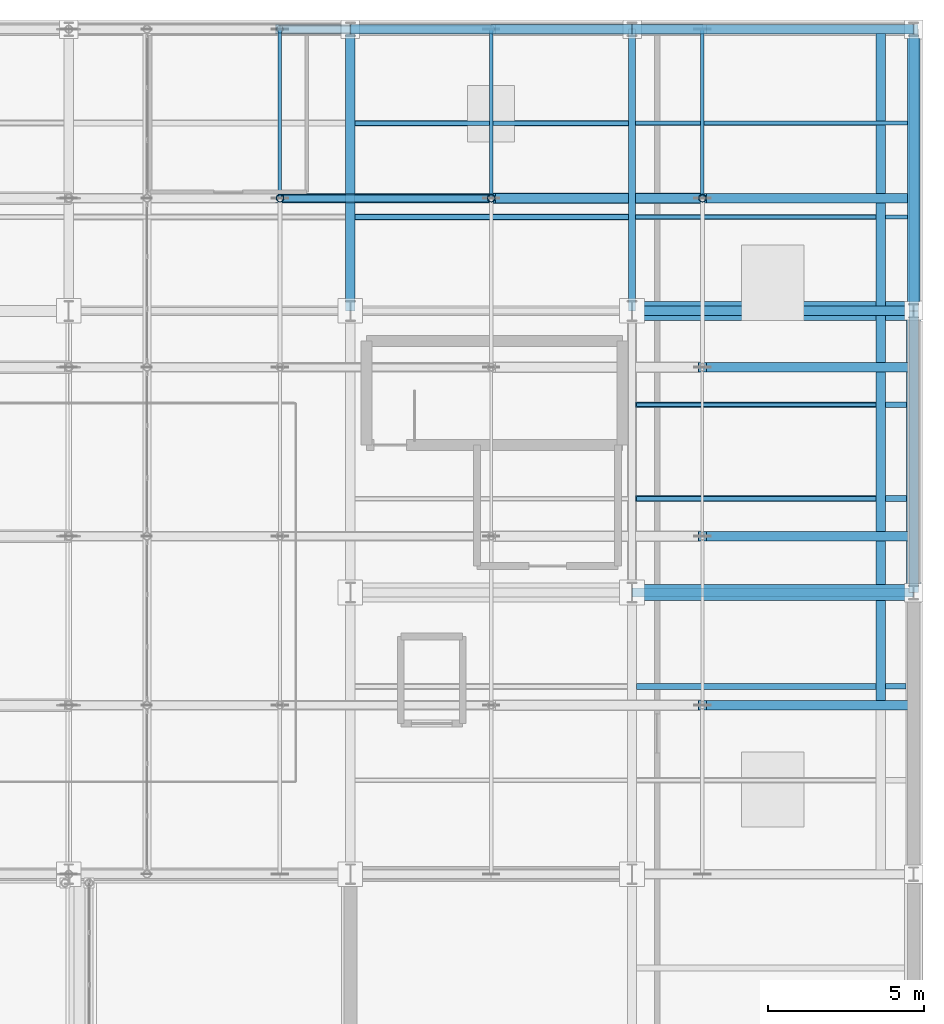
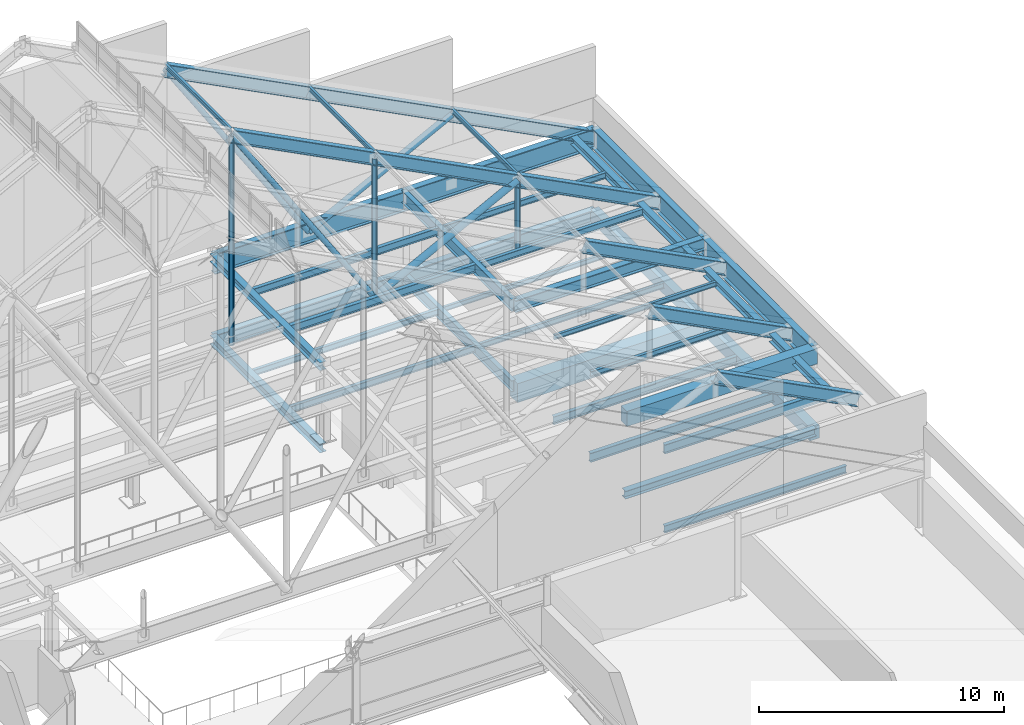
# One storey, part 65 of 84: 36 beams, 19 members.
"""IFC4 building model written with IfcOpenShell, lengths in metres."""

from ifc_helpers import new_model, si_unit, direction, frame, origin, origin_2d, place, context, subcontext, project, spatial, rectangle, hollow_circle, i_section, extrude, material, material_profile, profile_set, type_object, element, save


model = new_model("IFC4")

# Units and contexts
model_context = context("Model", 3, precision=1e-05, world=origin(), true_north=direction((0.0, 1.0)))
body_context = subcontext(model_context, "Body", "Model", "MODEL_VIEW")
ifc_project = project(units=[si_unit("LENGTHUNIT", "METRE"), si_unit("AREAUNIT", "SQUARE_METRE"), si_unit("VOLUMEUNIT", "CUBIC_METRE"), si_unit("PLANEANGLEUNIT", "RADIAN"), si_unit("MASSUNIT", "GRAM", prefix="KILO")], contexts=[model_context])

# Site, building, storey
site_placement = place(None, origin())
site = spatial("IfcSite", under=ifc_project, at=site_placement, CompositionType="ELEMENT")
building_placement = place(site_placement, origin())
building = spatial("IfcBuilding", under=site, at=building_placement, Name="Sundgate Opera House", CompositionType="ELEMENT")
storey_placement = place(building_placement, frame((0.0, 0.0, 30.60009765625)))
storey = spatial("IfcBuildingStorey", under=building, at=storey_placement, Name="L06", CompositionType="ELEMENT", Elevation=30.60009765625)

# Beams
ifc_material_1 = material(Name="Steel S355J2", Category="steel")
ifc_material_profile_1 = material_profile(ifc_material_1, i_section(OverallWidth=0.300048828125, OverallDepth=0.389892578125, WebThickness=0.010986328125, FlangeThickness=0.01904296875, at=origin_2d()), Name="HEA 400")
ifc_profile_set_1 = profile_set([ifc_material_profile_1], Name="Steel S355J2")
beam_type_1 = type_object("IfcBeamType", Name="BM-GR-HEA400", PredefinedType="BEAM", material=ifc_profile_set_1)
for number, where, z_axis, x_axis, name in (
    (1, (72.0, 69.0, -0.455078125), (1.0, 0.0, 0.0), (0.0, 1.0, 0.0), "L06 Primary E-W Girder B3227"),
    (2, (63.0, 78.0, 3.60498046875), (0.0, 1.0, 0.0), (-1.0, 0.0, 0.0), "L06 Primary N-S Girder B3279"),
):
    element("IfcBeam", number, at=place(storey_placement, frame(where, z_axis=z_axis, x_axis=x_axis)), inside=storey, type_object=beam_type_1, Name=name, PredefinedType="BEAM", context=body_context, shape_type="SweptSolid", body=[
        extrude(i_section(OverallWidth=0.300048828125, OverallDepth=0.389892578125, WebThickness=0.010986328125, FlangeThickness=0.01904296875, at=origin_2d()), origin(), (0.0, 0.0, 1.0), 9.0),
    ])
beam_1_placement = place(storey_placement, frame((79.949951171875, 65.550048828125, 3.58984375), z_axis=(0.0, 1.0, 0.0), x_axis=(-1.0, 0.0, 0.0)))
element("IfcBeam", 3, at=beam_1_placement, inside=storey, type_object=beam_type_1, Name="L06 Gridiron Deck Edge Girder B3301", PredefinedType="BEAM", context=body_context, shape_type="SweptSolid", body=[
    extrude(i_section(OverallWidth=0.300048828125, OverallDepth=0.389892578125, WebThickness=0.010986328125, FlangeThickness=0.01904296875, at=origin_2d()), origin(), (0.0, 0.0, 1.0), 3.199951171875),
])
beam_2_placement = place(storey_placement, frame((79.949951171875, 69.25, 3.58984375), z_axis=(0.0, 1.0, 0.0), x_axis=(-1.0, 0.0, 0.0)))
element("IfcBeam", 4, at=beam_2_placement, inside=storey, type_object=beam_type_1, Name="L06 Gridiron Deck Edge Girder B3302", PredefinedType="BEAM", context=body_context, shape_type="SweptSolid", body=[
    extrude(i_section(OverallWidth=0.300048828125, OverallDepth=0.389892578125, WebThickness=0.010986328125, FlangeThickness=0.01904296875, at=origin_2d()), origin(), (0.0, 0.0, 1.0), 1.39990234375),
])
beam_3_placement = place(storey_placement, frame((79.949951171875, 70.949951171875, 3.58984375), z_axis=(0.0, 1.0, 0.0), x_axis=(-1.0, 0.0, 0.0)))
element("IfcBeam", 5, at=beam_3_placement, inside=storey, type_object=beam_type_1, Name="L06 Gridiron Deck Edge Girder B3303", PredefinedType="BEAM", context=body_context, shape_type="SweptSolid", body=[
    extrude(i_section(OverallWidth=0.300048828125, OverallDepth=0.389892578125, WebThickness=0.010986328125, FlangeThickness=0.01904296875, at=origin_2d()), origin(), (0.0, 0.0, 1.0), 5.10009765625),
])
beam_4_placement = place(storey_placement, frame((79.949951171875, 76.35009765625, 3.58984375), z_axis=(0.0, 1.0, 0.0), x_axis=(-1.0, 0.0, 0.0)))
element("IfcBeam", 6, at=beam_4_placement, inside=storey, type_object=beam_type_1, Name="L06 Gridiron Deck Edge Girder B3304", PredefinedType="BEAM", context=body_context, shape_type="SweptSolid", body=[
    extrude(i_section(OverallWidth=0.300048828125, OverallDepth=0.389892578125, WebThickness=0.010986328125, FlangeThickness=0.01904296875, at=origin_2d()), origin(), (0.0, 0.0, 1.0), 1.5),
])
beam_5_placement = place(storey_placement, frame((79.949951171875, 78.14990234375, 3.58984375), z_axis=(0.0, 1.0, 0.0), x_axis=(-1.0, 0.0, 0.0)))
element("IfcBeam", 7, at=beam_5_placement, inside=storey, type_object=beam_type_1, Name="L06 Gridiron Deck Edge Girder B3305", PredefinedType="BEAM", context=body_context, shape_type="SweptSolid", body=[
    extrude(i_section(OverallWidth=0.300048828125, OverallDepth=0.389892578125, WebThickness=0.010986328125, FlangeThickness=0.01904296875, at=origin_2d()), origin(), (0.0, 0.0, 1.0), 3.300048828125),
])
beam_6_placement = place(storey_placement, frame((79.949951171875, 81.75, 3.58984375), z_axis=(0.0, 1.0, 0.0), x_axis=(-1.0, 0.0, 0.0)))
element("IfcBeam", 8, at=beam_6_placement, inside=storey, type_object=beam_type_1, Name="L06 Gridiron Deck Edge Girder B3306", PredefinedType="BEAM", context=body_context, shape_type="SweptSolid", body=[
    extrude(i_section(OverallWidth=0.300048828125, OverallDepth=0.389892578125, WebThickness=0.010986328125, FlangeThickness=0.01904296875, at=origin_2d()), origin(), (0.0, 0.0, 1.0), 5.1201171875),
])
ifc_material_2 = material(Name="Steel S355J2", Category="steel")
ifc_material_profile_2 = material_profile(ifc_material_2, i_section(OverallWidth=0.300048828125, OverallDepth=0.43994140625, WebThickness=0.011474609375, FlangeThickness=0.02099609375, at=origin_2d()), Name="HEA 450")
ifc_profile_set_2 = profile_set([ifc_material_profile_2], Name="Steel S355J2")
beam_type_2 = type_object("IfcBeamType", Name="BM-GR-HEA450", PredefinedType="BEAM", material=ifc_profile_set_2)
beam_7_placement = place(storey_placement, frame((63.0, 78.0, -0.47998046875), z_axis=(0.0, 1.0, 0.0), x_axis=(-1.0, 0.0, 0.0)))
element("IfcBeam", 9, at=beam_7_placement, inside=storey, type_object=beam_type_2, Name="L06 Primary N-S Girder B3204", PredefinedType="BEAM", context=body_context, shape_type="SweptSolid", body=[
    extrude(i_section(OverallWidth=0.300048828125, OverallDepth=0.43994140625, WebThickness=0.011474609375, FlangeThickness=0.02099609375, at=origin_2d()), origin(), (0.0, 0.0, 1.0), 9.0),
])
ifc_material_3 = material(Name="Steel S355J2", Category="steel")
ifc_material_profile_3 = material_profile(ifc_material_3, i_section(OverallWidth=0.300048828125, OverallDepth=0.60009765625, WebThickness=0.015380859375, FlangeThickness=0.030029296875, at=origin_2d()), Name="HEB 600")
ifc_profile_set_3 = profile_set([ifc_material_profile_3], Name="Steel S355J2")
beam_type_3 = type_object("IfcBeamType", Name="BM-GR-HEB600", PredefinedType="BEAM", material=ifc_profile_set_3)
beam_8_placement = place(storey_placement, frame((72.0, 78.0, 3.48486328125), z_axis=(1.0, 0.0, 0.0), x_axis=(0.0, 1.0, 0.0)))
element("IfcBeam", 10, at=beam_8_placement, inside=storey, type_object=beam_type_3, Name="L06 Primary E-W Girder B3292", PredefinedType="BEAM", context=body_context, shape_type="SweptSolid", body=[
    extrude(i_section(OverallWidth=0.300048828125, OverallDepth=0.60009765625, WebThickness=0.015380859375, FlangeThickness=0.030029296875, at=origin_2d()), origin(), (0.0, 0.0, 1.0), 9.0),
])
ifc_material_4 = material(Name="Steel S355J2", Category="steel")
ifc_material_profile_4 = material_profile(ifc_material_4, i_section(OverallWidth=0.300048828125, OverallDepth=0.64990234375, WebThickness=0.01611328125, FlangeThickness=0.031005859375, at=origin_2d()), Name="HEB 650")
ifc_profile_set_4 = profile_set([ifc_material_profile_4], Name="Steel S355J2")
beam_type_4 = type_object("IfcBeamType", Name="BM-GR-HEB650", PredefinedType="BEAM", material=ifc_profile_set_4)
beam_9_placement = place(storey_placement, frame((72.0, 87.0, -0.585205078125), z_axis=(1.0, 0.0, 0.0), x_axis=(0.0, 1.0, 0.0)))
element("IfcBeam", 11, at=beam_9_placement, inside=storey, type_object=beam_type_4, Name="L06 Primary E-W Girder B3239", PredefinedType="BEAM", context=body_context, shape_type="SweptSolid", body=[
    extrude(i_section(OverallWidth=0.300048828125, OverallDepth=0.64990234375, WebThickness=0.01611328125, FlangeThickness=0.031005859375, at=origin_2d()), origin(), (0.0, 0.0, 1.0), 9.0),
])
ifc_material_5 = material(Name="Steel S355J2", Category="steel")
ifc_material_profile_5 = material_profile(ifc_material_5, i_section(OverallWidth=0.300048828125, OverallDepth=0.699951171875, WebThickness=0.01708984375, FlangeThickness=0.031982421875, at=origin_2d()), Name="HEB 700")
ifc_profile_set_5 = profile_set([ifc_material_profile_5], Name="Steel S355J2")
beam_type_5 = type_object("IfcBeamType", Name="BM-GR-HEB700", PredefinedType="BEAM", material=ifc_profile_set_5)
beam_10_placement = place(storey_placement, frame((63.0, 87.0, -0.610107421875), z_axis=(1.0, 0.0, 0.0), x_axis=(0.0, 1.0, 0.0)))
element("IfcBeam", 12, at=beam_10_placement, inside=storey, type_object=beam_type_5, Name="L06 Primary E-W Girder B3238", PredefinedType="BEAM", context=body_context, shape_type="SweptSolid", body=[
    extrude(i_section(OverallWidth=0.300048828125, OverallDepth=0.699951171875, WebThickness=0.01708984375, FlangeThickness=0.031982421875, at=origin_2d()), origin(), (0.0, 0.0, 1.0), 9.0),
])
ifc_material_6 = material(Name="Steel S355J2", Category="steel")
ifc_material_profile_6 = material_profile(ifc_material_6, i_section(OverallWidth=0.2099609375, OverallDepth=0.550048828125, WebThickness=0.010986328125, FlangeThickness=0.01708984375, at=origin_2d()), Name="IPE 550")
ifc_profile_set_6 = profile_set([ifc_material_profile_6], Name="Steel S355J2")
beam_type_6 = type_object("IfcBeamType", Name="BM-GR-IPE550", PredefinedType="BEAM", material=ifc_profile_set_6)
beam_11_placement = place(storey_placement, frame((72.0, 78.0, -0.53515625), z_axis=(0.0, 1.0, 0.0), x_axis=(-1.0, 0.0, 0.0)))
element("IfcBeam", 13, at=beam_11_placement, inside=storey, type_object=beam_type_6, Name="L06 Primary N-S Girder B3209", PredefinedType="BEAM", context=body_context, shape_type="SweptSolid", body=[
    extrude(i_section(OverallWidth=0.2099609375, OverallDepth=0.550048828125, WebThickness=0.010986328125, FlangeThickness=0.01708984375, at=origin_2d()), origin(), (0.0, 0.0, 1.0), 9.0),
])
ifc_material_7 = material(Name="Steel S355J2", Category="steel")
ifc_material_profile_7 = material_profile(ifc_material_7, i_section(OverallWidth=0.219970703125, OverallDepth=0.60009765625, WebThickness=0.011962890625, FlangeThickness=0.01904296875, at=origin_2d()), Name="IPE 600")
ifc_profile_set_7 = profile_set([ifc_material_profile_7], Name="Steel S355J2")
beam_type_7 = type_object("IfcBeamType", Name="BM-GR-IPE600", PredefinedType="BEAM", material=ifc_profile_set_7)
beam_12_placement = place(storey_placement, frame((72.0, 78.0, 3.5), z_axis=(0.0, 1.0, 0.0), x_axis=(-1.0, 0.0, 0.0)))
element("IfcBeam", 14, at=beam_12_placement, inside=storey, type_object=beam_type_7, Name="L06 Primary N-S Girder B3282", PredefinedType="BEAM", context=body_context, shape_type="SweptSolid", body=[
    extrude(i_section(OverallWidth=0.219970703125, OverallDepth=0.60009765625, WebThickness=0.011962890625, FlangeThickness=0.01904296875, at=origin_2d()), origin(), (0.0, 0.0, 1.0), 9.0),
])
ifc_material_8 = material(Name="Steel S355J2", Category="steel")
ifc_material_profile_8 = material_profile(ifc_material_8, i_section(OverallWidth=0.1201171875, OverallDepth=0.239990234375, WebThickness=0.006103515625, FlangeThickness=0.009765625, at=origin_2d()), Name="IPE 240")
ifc_profile_set_8 = profile_set([ifc_material_profile_8], Name="Steel S355J2")
beam_type_8 = type_object("IfcBeamType", Name="BM-JS-IPE240", PredefinedType="JOIST", material=ifc_profile_set_8)
beam_13_placement = place(storey_placement, frame((72.10498046875, 84.0, -0.380126953125), z_axis=(1.0, 0.0, 0.0), x_axis=(0.0, 1.0, 0.0)))
element("IfcBeam", 15, at=beam_13_placement, inside=storey, type_object=beam_type_8, Name="L06 Secondary Floor Joist B3269", PredefinedType="JOIST", context=body_context, shape_type="SweptSolid", body=[
    extrude(i_section(OverallWidth=0.1201171875, OverallDepth=0.239990234375, WebThickness=0.006103515625, FlangeThickness=0.009765625, at=origin_2d()), origin(), (0.0, 0.0, 1.0), 8.695068359375),
])
beam_14_placement = place(storey_placement, frame((72.14990234375, 75.0, 3.664794921875), z_axis=(1.0, 0.0, 0.0), x_axis=(0.0, 1.0, 0.0)))
element("IfcBeam", 16, at=beam_14_placement, inside=storey, type_object=beam_type_8, Name="L06 Secondary Floor Joist B3320", PredefinedType="JOIST", context=body_context, shape_type="SweptSolid", body=[
    extrude(i_section(OverallWidth=0.1201171875, OverallDepth=0.239990234375, WebThickness=0.006103515625, FlangeThickness=0.009765625, at=origin_2d()), origin(), (0.0, 0.0, 1.0), 7.650146484375),
])
ifc_material_9 = material(Name="Steel S355J2", Category="steel")
ifc_material_profile_9 = material_profile(ifc_material_9, i_section(OverallWidth=0.135009765625, OverallDepth=0.27001953125, WebThickness=0.006591796875, FlangeThickness=0.01025390625, at=origin_2d()), Name="IPE 270")
ifc_profile_set_9 = profile_set([ifc_material_profile_9], Name="Steel S355J2")
beam_type_9 = type_object("IfcBeamType", Name="BM-JS-IPE270", PredefinedType="JOIST", material=ifc_profile_set_9)
beam_15_placement = place(storey_placement, frame((72.10498046875, 81.0, -0.39501953125), z_axis=(1.0, 0.0, 0.0), x_axis=(0.0, 1.0, 0.0)))
element("IfcBeam", 17, at=beam_15_placement, inside=storey, type_object=beam_type_9, Name="L06 Secondary Floor Joist B3268", PredefinedType="JOIST", context=body_context, shape_type="SweptSolid", body=[
    extrude(i_section(OverallWidth=0.135009765625, OverallDepth=0.27001953125, WebThickness=0.006591796875, FlangeThickness=0.01025390625, at=origin_2d()), origin(), (0.0, 0.0, 1.0), 8.695068359375),
])
beam_16_placement = place(storey_placement, frame((72.14990234375, 72.0, 3.64990234375), z_axis=(1.0, 0.0, 0.0), x_axis=(0.0, 1.0, 0.0)))
element("IfcBeam", 18, at=beam_16_placement, inside=storey, type_object=beam_type_9, Name="L06 Secondary Floor Joist B3319", PredefinedType="JOIST", context=body_context, shape_type="SweptSolid", body=[
    extrude(i_section(OverallWidth=0.135009765625, OverallDepth=0.27001953125, WebThickness=0.006591796875, FlangeThickness=0.01025390625, at=origin_2d()), origin(), (0.0, 0.0, 1.0), 7.650146484375),
])
ifc_material_10 = material(Name="Steel S355J2", Category="steel")
ifc_material_profile_10 = material_profile(ifc_material_10, i_section(OverallWidth=0.14990234375, OverallDepth=0.300048828125, WebThickness=0.007080078125, FlangeThickness=0.0107421875, at=origin_2d()), Name="IPE 300")
ifc_profile_set_10 = profile_set([ifc_material_profile_10], Name="Steel S355J2")
beam_type_10 = type_object("IfcBeamType", Name="BM-JS-IPE300", PredefinedType="JOIST", material=ifc_profile_set_10)
beam_17_placement = place(storey_placement, frame((63.14990234375, 84.0, -0.41015625), z_axis=(1.0, 0.0, 0.0), x_axis=(0.0, 1.0, 0.0)))
element("IfcBeam", 19, at=beam_17_placement, inside=storey, type_object=beam_type_10, Name="L06 Secondary Floor Joist B3267", PredefinedType="JOIST", context=body_context, shape_type="SweptSolid", body=[
    extrude(i_section(OverallWidth=0.14990234375, OverallDepth=0.300048828125, WebThickness=0.007080078125, FlangeThickness=0.0107421875, at=origin_2d()), origin(), (0.0, 0.0, 1.0), 8.7451171875),
])
beam_18_placement = place(storey_placement, frame((72.110107421875, 84.0, 3.635009765625), z_axis=(1.0, 0.0, 0.0), x_axis=(0.0, 1.0, 0.0)))
element("IfcBeam", 20, at=beam_18_placement, inside=storey, type_object=beam_type_10, Name="L06 Secondary Floor Joist B3332", PredefinedType="JOIST", context=body_context, shape_type="SweptSolid", body=[
    extrude(i_section(OverallWidth=0.14990234375, OverallDepth=0.300048828125, WebThickness=0.007080078125, FlangeThickness=0.0107421875, at=origin_2d()), origin(), (0.0, 0.0, 1.0), 7.68994140625),
])
ifc_material_11 = material(Name="Steel S355J2", Category="steel")
ifc_material_profile_11 = material_profile(ifc_material_11, i_section(OverallWidth=0.159912109375, OverallDepth=0.330078125, WebThickness=0.007568359375, FlangeThickness=0.011474609375, at=origin_2d()), Name="IPE 330")
ifc_profile_set_11 = profile_set([ifc_material_profile_11], Name="Steel S355J2")
beam_type_11 = type_object("IfcBeamType", Name="BM-JS-IPE330", PredefinedType="JOIST", material=ifc_profile_set_11)
beam_19_placement = place(storey_placement, frame((63.14990234375, 81.0, -0.425048828125), z_axis=(1.0, 0.0, 0.0), x_axis=(0.0, 1.0, 0.0)))
element("IfcBeam", 21, at=beam_19_placement, inside=storey, type_object=beam_type_11, Name="L06 Secondary Floor Joist B3266", PredefinedType="JOIST", context=body_context, shape_type="SweptSolid", body=[
    extrude(i_section(OverallWidth=0.159912109375, OverallDepth=0.330078125, WebThickness=0.007568359375, FlangeThickness=0.011474609375, at=origin_2d()), origin(), (0.0, 0.0, 1.0), 8.7451171875),
])
beam_20_placement = place(storey_placement, frame((72.110107421875, 81.0, 3.619873046875), z_axis=(1.0, 0.0, 0.0), x_axis=(0.0, 1.0, 0.0)))
element("IfcBeam", 22, at=beam_20_placement, inside=storey, type_object=beam_type_11, Name="L06 Secondary Floor Joist B3331", PredefinedType="JOIST", context=body_context, shape_type="SweptSolid", body=[
    extrude(i_section(OverallWidth=0.159912109375, OverallDepth=0.330078125, WebThickness=0.007568359375, FlangeThickness=0.011474609375, at=origin_2d()), origin(), (0.0, 0.0, 1.0), 7.68994140625),
])
ifc_material_12 = material(Name="Steel S355J2", Category="steel")
ifc_material_profile_12 = material_profile(ifc_material_12, i_section(OverallWidth=0.169921875, OverallDepth=0.360107421875, WebThickness=0.008056640625, FlangeThickness=0.0126953125, at=origin_2d()), Name="IPE 360")
ifc_profile_set_12 = profile_set([ifc_material_profile_12], Name="Steel S355J2")
beam_type_12 = type_object("IfcBeamType", Name="BM-JS-IPE360", PredefinedType="JOIST", material=ifc_profile_set_12)
beam_21_placement = place(storey_placement, frame((72.14990234375, 66.0, -0.440185546875), z_axis=(1.0, 0.0, 0.0), x_axis=(0.0, 1.0, 0.0)))
element("IfcBeam", 23, at=beam_21_placement, inside=storey, type_object=beam_type_12, Name="L06 Secondary Floor Joist B3251", PredefinedType="JOIST", context=body_context, shape_type="SweptSolid", body=[
    extrude(i_section(OverallWidth=0.169921875, OverallDepth=0.360107421875, WebThickness=0.008056640625, FlangeThickness=0.0126953125, at=origin_2d()), origin(), (0.0, 0.0, 1.0), 8.60009765625),
])
beam_22_placement = place(storey_placement, frame((63.14990234375, 84.0, 3.619873046875), z_axis=(1.0, 0.0, 0.0), x_axis=(0.0, 1.0, 0.0)))
element("IfcBeam", 24, at=beam_22_placement, inside=storey, type_object=beam_type_12, Name="L06 Secondary Floor Joist B3330", PredefinedType="JOIST", context=body_context, shape_type="SweptSolid", body=[
    extrude(i_section(OverallWidth=0.169921875, OverallDepth=0.360107421875, WebThickness=0.008056640625, FlangeThickness=0.0126953125, at=origin_2d()), origin(), (0.0, 0.0, 1.0), 8.739990234375),
])
ifc_material_13 = material(Name="Steel S355J2", Category="steel")
ifc_material_profile_13 = material_profile(ifc_material_13, i_section(OverallWidth=0.179931640625, OverallDepth=0.39990234375, WebThickness=0.008544921875, FlangeThickness=0.013427734375, at=origin_2d()), Name="IPE 400")
ifc_profile_set_13 = profile_set([ifc_material_profile_13], Name="Steel S355J2")
beam_type_13 = type_object("IfcBeamType", Name="BM-JS-IPE400", PredefinedType="JOIST", material=ifc_profile_set_13)
beam_23_placement = place(storey_placement, frame((72.110107421875, 75.0, -0.460205078125), z_axis=(1.0, 0.0, 0.0), x_axis=(0.0, 1.0, 0.0)))
element("IfcBeam", 25, at=beam_23_placement, inside=storey, type_object=beam_type_13, Name="L06 Secondary Floor Joist B3257", PredefinedType="JOIST", context=body_context, shape_type="SweptSolid", body=[
    extrude(i_section(OverallWidth=0.179931640625, OverallDepth=0.39990234375, WebThickness=0.008544921875, FlangeThickness=0.013427734375, at=origin_2d()), origin(), (0.0, 0.0, 1.0), 8.664794921875),
])
beam_24_placement = place(storey_placement, frame((63.14990234375, 81.0, 3.599853515625), z_axis=(1.0, 0.0, 0.0), x_axis=(0.0, 1.0, 0.0)))
element("IfcBeam", 26, at=beam_24_placement, inside=storey, type_object=beam_type_13, Name="L06 Secondary Floor Joist B3329", PredefinedType="JOIST", context=body_context, shape_type="SweptSolid", body=[
    extrude(i_section(OverallWidth=0.179931640625, OverallDepth=0.39990234375, WebThickness=0.008544921875, FlangeThickness=0.013427734375, at=origin_2d()), origin(), (0.0, 0.0, 1.0), 8.739990234375),
])
ifc_material_14 = material(Name="Steel S355J2", Category="steel")
ifc_material_profile_14 = material_profile(ifc_material_14, i_section(OverallWidth=0.18994140625, OverallDepth=0.449951171875, WebThickness=0.009521484375, FlangeThickness=0.0146484375, at=origin_2d()), Name="IPE 450")
ifc_profile_set_14 = profile_set([ifc_material_profile_14], Name="Steel S355J2")
beam_type_14 = type_object("IfcBeamType", Name="BM-JS-IPE450", PredefinedType="JOIST", material=ifc_profile_set_14)
beam_25_placement = place(storey_placement, frame((72.110107421875, 72.0, -0.485107421875), z_axis=(1.0, 0.0, 0.0), x_axis=(0.0, 1.0, 0.0)))
element("IfcBeam", 27, at=beam_25_placement, inside=storey, type_object=beam_type_14, Name="L06 Secondary Floor Joist B3256", PredefinedType="JOIST", context=body_context, shape_type="SweptSolid", body=[
    extrude(i_section(OverallWidth=0.18994140625, OverallDepth=0.449951171875, WebThickness=0.009521484375, FlangeThickness=0.0146484375, at=origin_2d()), origin(), (0.0, 0.0, 1.0), 8.664794921875),
])
beam_26_placement = place(storey_placement, frame((72.14990234375, 66.0, 3.559814453125), z_axis=(1.0, 0.0, 0.0), x_axis=(0.0, 1.0, 0.0)))
element("IfcBeam", 28, at=beam_26_placement, inside=storey, type_object=beam_type_14, Name="L06 Secondary Floor Joist B3314", PredefinedType="JOIST", context=body_context, shape_type="SweptSolid", body=[
    extrude(i_section(OverallWidth=0.18994140625, OverallDepth=0.449951171875, WebThickness=0.009521484375, FlangeThickness=0.0146484375, at=origin_2d()), origin(), (0.0, 0.0, 1.0), 7.650146484375),
])
ifc_material_15 = material(Name="Concrete C35/45", Category="concrete")
ifc_material_profile_15 = material_profile(ifc_material_15, rectangle(XDim=0.39990234375, YDim=0.60009765625, at=origin_2d()), Name="RC 400x600")
ifc_profile_set_15 = profile_set([ifc_material_profile_15], Name="Concrete C35/45")
beam_type_15 = type_object("IfcBeamType", Name="BM-RC-400x600", PredefinedType="BEAM", material=ifc_profile_set_15)
beam_27_placement = place(storey_placement, frame((81.0, 78.0, -0.56005859375), z_axis=(0.0, 1.0, 0.0), x_axis=(-1.0, 0.0, 0.0)))
element("IfcBeam", 29, at=beam_27_placement, inside=storey, type_object=beam_type_15, Name="L06 Primary N-S Girder B3214", PredefinedType="BEAM", context=body_context, shape_type="SweptSolid", body=[
    extrude(rectangle(XDim=0.39990234375, YDim=0.60009765625, at=origin_2d()), origin(), (0.0, 0.0, 1.0), 9.0),
])
ifc_material_16 = material(Name="Concrete C35/45", Category="concrete")
ifc_material_profile_16 = material_profile(ifc_material_16, rectangle(XDim=0.449951171875, YDim=0.64990234375, at=origin_2d()), Name="RC 450x650")
ifc_profile_set_16 = profile_set([ifc_material_profile_16], Name="Concrete C35/45")
beam_type_16 = type_object("IfcBeamType", Name="BM-RC-450x650", PredefinedType="BEAM", material=ifc_profile_set_16)
beam_28_placement = place(storey_placement, frame((81.0, 69.0, -0.585205078125), z_axis=(0.0, 1.0, 0.0), x_axis=(-1.0, 0.0, 0.0)))
element("IfcBeam", 30, at=beam_28_placement, inside=storey, type_object=beam_type_16, Name="L06 Primary N-S Girder B3213", PredefinedType="BEAM", context=body_context, shape_type="SweptSolid", body=[
    extrude(rectangle(XDim=0.449951171875, YDim=0.64990234375, at=origin_2d()), origin(), (0.0, 0.0, 1.0), 9.0),
])
ifc_material_17 = material(Name="Concrete C40/50", Category="concrete")
ifc_material_profile_17 = material_profile(ifc_material_17, rectangle(XDim=0.5, YDim=0.75, at=origin_2d()), Name="RC 500x750")
ifc_profile_set_17 = profile_set([ifc_material_profile_17], Name="Concrete C40/50")
beam_type_17 = type_object("IfcBeamType", Name="BM-RC-500x750", PredefinedType="BEAM", material=ifc_profile_set_17)
beam_29_placement = place(storey_placement, frame((72.0, 69.0, 3.409912109375), z_axis=(1.0, 0.0, 0.0), x_axis=(0.0, 1.0, 0.0)))
element("IfcBeam", 31, at=beam_29_placement, inside=storey, type_object=beam_type_17, Name="L06 Primary E-W Girder B3286", PredefinedType="BEAM", context=body_context, shape_type="SweptSolid", body=[
    extrude(rectangle(XDim=0.5, YDim=0.75, at=origin_2d()), origin(), (0.0, 0.0, 1.0), 9.0),
])
ifc_material_18 = material(Name="Concrete C40/50", Category="concrete")
ifc_material_profile_18 = material_profile(ifc_material_18, rectangle(XDim=0.60009765625, YDim=0.949951171875, at=origin_2d()), Name="RC 600x950")
ifc_profile_set_18 = profile_set([ifc_material_profile_18], Name="Concrete C40/50")
beam_type_18 = type_object("IfcBeamType", Name="BM-RC-600x950", PredefinedType="BEAM", material=ifc_profile_set_18)
beam_30_placement = place(storey_placement, frame((72.0, 78.0, -0.735107421875), z_axis=(1.0, 0.0, 0.0), x_axis=(0.0, 1.0, 0.0)))
element("IfcBeam", 32, at=beam_30_placement, inside=storey, type_object=beam_type_18, Name="L06 Primary E-W Girder B3233", PredefinedType="BEAM", context=body_context, shape_type="SweptSolid", body=[
    extrude(rectangle(XDim=0.60009765625, YDim=0.949951171875, at=origin_2d()), origin(), (0.0, 0.0, 1.0), 9.0),
])
ifc_material_19 = material(Name="Steel S355ML", Category="steel")
ifc_material_profile_19 = material_profile(ifc_material_19, i_section(OverallWidth=0.300048828125, OverallDepth=1.0, WebThickness=0.01904296875, FlangeThickness=0.035888671875, at=origin_2d()), Name="HEB 1000")
ifc_profile_set_19 = profile_set([ifc_material_profile_19], Name="Steel S355ML")
beam_type_19 = type_object("IfcBeamType", Name="BM-TR-HEB1000", PredefinedType="BEAM", material=ifc_profile_set_19)
for number, where, z_axis, x_axis, name in (
    (33, (63.0, 87.0, 3.289794921875), (1.0, 0.0, 0.0), (0.0, 1.0, 0.0), "L06 Fly-Tower North Gable Girder B3370"),
    (34, (72.0, 87.0, 3.289794921875), (1.0, 0.0, 0.0), (0.0, 1.0, 0.0), "L06 Fly-Tower North Gable Girder B3371"),
    (35, (81.0, 69.0, 3.289794921875), (0.0, 1.0, 0.0), (-1.0, 0.0, 0.0), "L06 Fly-Tower Eaves Collector Girder B3381"),
    (36, (81.0, 78.0, 3.289794921875), (0.0, 1.0, 0.0), (-1.0, 0.0, 0.0), "L06 Fly-Tower Eaves Collector Girder B3382"),
):
    element("IfcBeam", number, at=place(storey_placement, frame(where, z_axis=z_axis, x_axis=x_axis)), inside=storey, type_object=beam_type_19, Name=name, PredefinedType="BEAM", context=body_context, shape_type="SweptSolid", body=[
        extrude(i_section(OverallWidth=0.300048828125, OverallDepth=1.0, WebThickness=0.01904296875, FlangeThickness=0.035888671875, at=origin_2d()), origin(), (0.0, 0.0, 1.0), 9.0),
    ])

# Members
ifc_material_20 = material(Name="Steel S355J2", Category="steel")
ifc_material_profile_20 = material_profile(ifc_material_20, hollow_circle(Radius=0.122314453125, WallThickness=0.012451171875, at=origin_2d()), Name="CHS 244.5x12.5")
ifc_profile_set_20 = profile_set([ifc_material_profile_20], Name="Steel S355J2")
member_type_1 = type_object("IfcMemberType", Name="MB-BRC-CHS244", PredefinedType="BRACE", material=ifc_profile_set_20)
for number, where, z_axis, x_axis, name in (
    (37, (67.5, 81.60009765625, 3.289794921875), (-0.543221949913, 0.0, 0.839589133525), (0.0, -1.0, 0.0), "L06 Fly-Tower Warren Web Diagonal M0207"),
    (38, (67.5, 87.0, 3.289794921875), (-0.543221949913, 0.0, 0.839589133525), (0.0, -1.0, 0.0), "L06 Fly-Tower Warren Web Diagonal M0228"),
):
    element("IfcMember", number, at=place(storey_placement, frame(where, z_axis=z_axis, x_axis=x_axis)), inside=storey, type_object=member_type_1, Name=name, PredefinedType="BRACE", context=body_context, shape_type="SweptSolid", body=[
        extrude(hollow_circle(Radius=0.122314453125, WallThickness=0.012451171875, at=origin_2d()), origin(), (0.0, 0.0, 1.0), 12.42578125),
    ])
ifc_material_21 = material(Name="Steel S355J2", Category="steel")
ifc_material_profile_21 = material_profile(ifc_material_21, i_section(OverallWidth=0.300048828125, OverallDepth=0.60009765625, WebThickness=0.015380859375, FlangeThickness=0.030029296875, at=origin_2d()), Name="HEB 600")
ifc_profile_set_21 = profile_set([ifc_material_profile_21], Name="Steel S355J2")
member_type_2 = type_object("IfcMemberType", Name="MB-CHORD-HEB600", PredefinedType="CHORD", material=ifc_profile_set_21)
for number, where, z_axis, x_axis, name in (
    (39, (74.25, 65.39990234375, 6.767333984375), (0.888960276237, 0.0, -0.457984308981), (0.0, 1.0, 0.0), "L06 Fly-Tower Truss Top Chord M0147"),
    (40, (74.25, 70.800048828125, 6.767333984375), (0.888960276237, 0.0, -0.457984308981), (0.0, 1.0, 0.0), "L06 Fly-Tower Truss Top Chord M0168"),
    (41, (74.25, 76.199951171875, 6.767333984375), (0.888960276237, 0.0, -0.457984308981), (0.0, 1.0, 0.0), "L06 Fly-Tower Truss Top Chord M0189"),
    (42, (60.75, 81.60009765625, 13.722412109375), (0.888960276237, 0.0, -0.457984308981), (0.0, 1.0, 0.0), "L06 Fly-Tower Truss Top Chord M0206"),
    (43, (67.5, 81.60009765625, 10.244873046875), (0.888960276237, 0.0, -0.457984308981), (0.0, 1.0, 0.0), "L06 Fly-Tower Truss Top Chord M0208"),
    (44, (74.25, 81.60009765625, 6.767333984375), (0.888960276237, 0.0, -0.457984308981), (0.0, 1.0, 0.0), "L06 Fly-Tower Truss Top Chord M0210"),
    (45, (60.75, 87.0, 13.722412109375), (0.888960276237, 0.0, -0.457984308981), (0.0, 1.0, 0.0), "L06 Fly-Tower Truss Top Chord M0227"),
    (46, (67.5, 87.0, 10.244873046875), (0.888960276237, 0.0, -0.457984308981), (0.0, 1.0, 0.0), "L06 Fly-Tower Truss Top Chord M0229"),
    (47, (74.25, 87.0, 6.767333984375), (0.888960276237, 0.0, -0.457984308981), (0.0, 1.0, 0.0), "L06 Fly-Tower Truss Top Chord M0231"),
):
    element("IfcMember", number, at=place(storey_placement, frame(where, z_axis=z_axis, x_axis=x_axis)), inside=storey, type_object=member_type_2, Name=name, PredefinedType="CHORD", context=body_context, shape_type="SweptSolid", body=[
        extrude(i_section(OverallWidth=0.300048828125, OverallDepth=0.60009765625, WebThickness=0.015380859375, FlangeThickness=0.030029296875, at=origin_2d()), origin(), (0.0, 0.0, 1.0), 7.59326171875),
    ])
ifc_material_22 = material(Name="Steel S355J2", Category="steel")
ifc_material_profile_22 = material_profile(ifc_material_22, i_section(OverallWidth=0.110107421875, OverallDepth=0.219970703125, WebThickness=0.005859375, FlangeThickness=0.00927734375, at=origin_2d()), Name="IPE 220")
ifc_profile_set_22 = profile_set([ifc_material_profile_22], Name="Steel S355J2")
member_type_3 = type_object("IfcMemberType", Name="MB-PUR-IPE220", PredefinedType="PURLIN", material=ifc_profile_set_22)
for number, where, z_axis, x_axis, name in (
    (48, (60.75, 81.60009765625, 13.96728515625), (0.0, 1.0, 0.0), (-1.0, 0.0, 0.0), "V1 Roof Purlin M0273"),
    (49, (67.5, 81.60009765625, 10.489990234375), (0.0, 1.0, 0.0), (-1.0, 0.0, 0.0), "V1 Roof Purlin M0274"),
    (50, (74.25, 81.60009765625, 7.012451171875), (0.0, 1.0, 0.0), (-1.0, 0.0, 0.0), "V1 Roof Purlin M0275"),
):
    element("IfcMember", number, at=place(storey_placement, frame(where, z_axis=z_axis, x_axis=x_axis)), inside=storey, type_object=member_type_3, Name=name, PredefinedType="PURLIN", context=body_context, shape_type="SweptSolid", body=[
        extrude(i_section(OverallWidth=0.110107421875, OverallDepth=0.219970703125, WebThickness=0.005859375, FlangeThickness=0.00927734375, at=origin_2d()), origin(), (0.0, 0.0, 1.0), 5.39990234375),
    ])
ifc_material_23 = material(Name="Steel S355J2", Category="steel")
ifc_material_profile_23 = material_profile(ifc_material_23, hollow_circle(Radius=0.122314453125, WallThickness=0.012451171875, at=origin_2d()), Name="CHS 244.5x12.5")
ifc_profile_set_23 = profile_set([ifc_material_profile_23], Name="Steel S355J2")
member_type_4 = type_object("IfcMemberType", Name="MB-STRUT-CHS244", PredefinedType="STRUT", material=ifc_profile_set_23)
member_1_placement = place(storey_placement, frame((60.75, 81.60009765625, 3.289794921875), z_axis=(0.0, 0.0, 1.0), x_axis=(1.0, 0.0, 0.0)))
element("IfcMember", 51, at=member_1_placement, inside=storey, type_object=member_type_4, Name="L06 Fly-Tower Truss Vertical Post M0215", PredefinedType="STRUT", context=body_context, shape_type="SweptSolid", body=[
    extrude(hollow_circle(Radius=0.122314453125, WallThickness=0.012451171875, at=origin_2d()), origin(), (0.0, 0.0, 1.0), 10.4326171875),
])
member_2_placement = place(storey_placement, frame((67.5, 81.60009765625, 3.289794921875), z_axis=(0.0, 0.0, 1.0), x_axis=(1.0, 0.0, 0.0)))
element("IfcMember", 52, at=member_2_placement, inside=storey, type_object=member_type_4, Name="L06 Fly-Tower Truss Vertical Post M0216", PredefinedType="STRUT", context=body_context, shape_type="SweptSolid", body=[
    extrude(hollow_circle(Radius=0.122314453125, WallThickness=0.012451171875, at=origin_2d()), origin(), (0.0, 0.0, 1.0), 6.955078125),
])
member_3_placement = place(storey_placement, frame((74.25, 81.60009765625, 3.289794921875), z_axis=(0.0, 0.0, 1.0), x_axis=(1.0, 0.0, 0.0)))
element("IfcMember", 53, at=member_3_placement, inside=storey, type_object=member_type_4, Name="L06 Fly-Tower Truss Vertical Post M0217", PredefinedType="STRUT", context=body_context, shape_type="SweptSolid", body=[
    extrude(hollow_circle(Radius=0.122314453125, WallThickness=0.012451171875, at=origin_2d()), origin(), (0.0, 0.0, 1.0), 3.4775390625),
])
ifc_material_24 = material(Name="Steel S355J2", Category="steel")
ifc_material_profile_24 = material_profile(ifc_material_24, hollow_circle(Radius=0.161865234375, WallThickness=0.01611328125, at=origin_2d()), Name="CHS 323.9x16.0")
ifc_profile_set_24 = profile_set([ifc_material_profile_24], Name="Steel S355J2")
member_type_5 = type_object("IfcMemberType", Name="MB-STRUT-CHS324", PredefinedType="STRUT", material=ifc_profile_set_24)
for number, where, z_axis, x_axis, name in (
    (54, (67.5, 81.60009765625, 3.289794921875), (0.888960276237, 0.0, 0.457984308981), (0.0, 1.0, 0.0), "L06 Fly-Tower Warren Web Strut M0209"),
    (55, (67.5, 87.0, 3.289794921875), (0.888960276237, 0.0, 0.457984308981), (0.0, 1.0, 0.0), "L06 Fly-Tower Warren Web Strut M0230"),
):
    element("IfcMember", number, at=place(storey_placement, frame(where, z_axis=z_axis, x_axis=x_axis)), inside=storey, type_object=member_type_5, Name=name, PredefinedType="STRUT", context=body_context, shape_type="SweptSolid", body=[
        extrude(hollow_circle(Radius=0.161865234375, WallThickness=0.01611328125, at=origin_2d()), origin(), (0.0, 0.0, 1.0), 7.59326171875),
    ])

save(model, "model.ifc")
